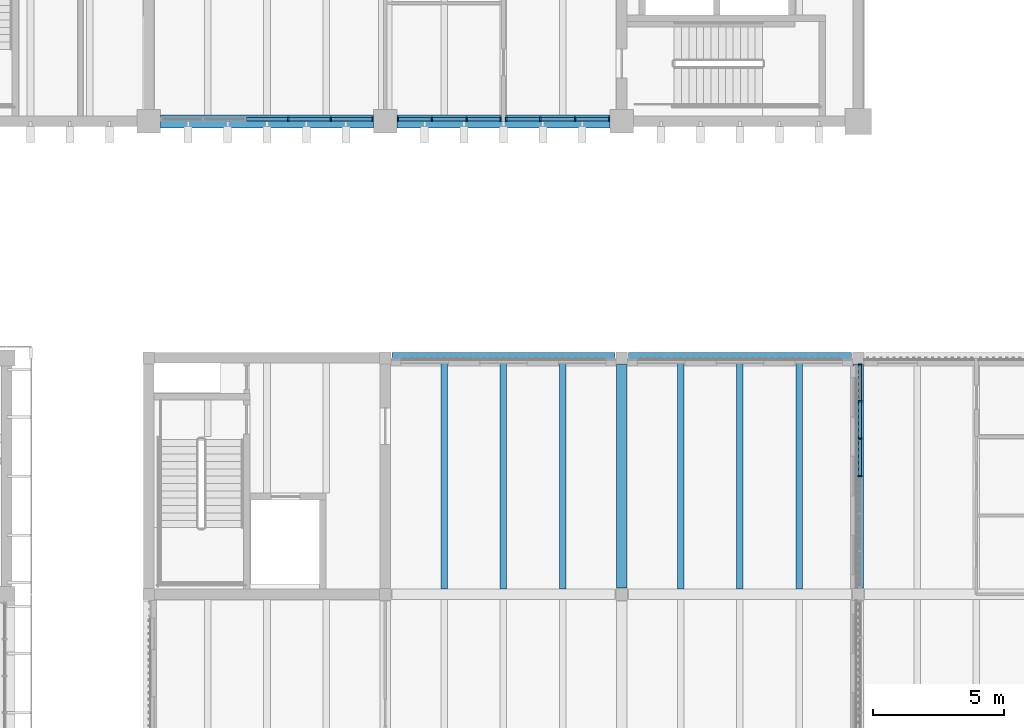
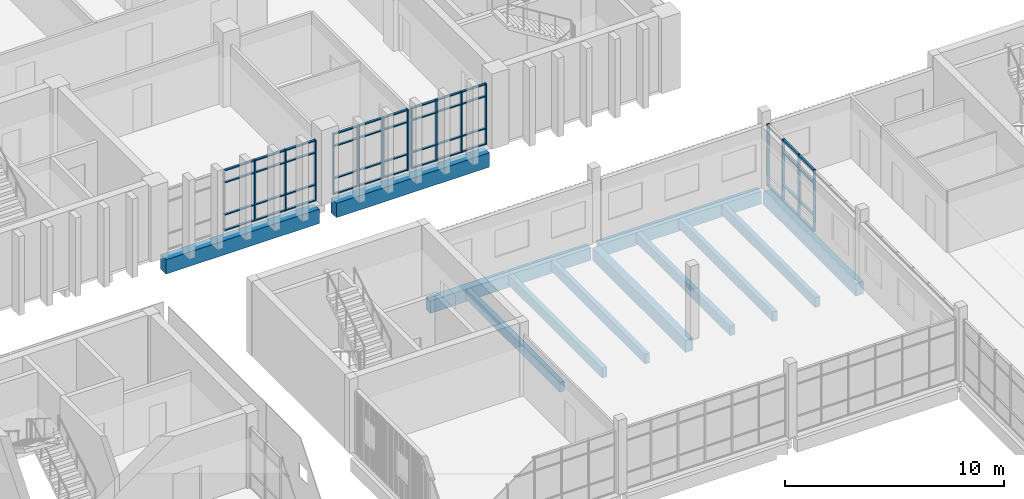
# One storey, part 31 of 88: 60 members, 12 beams, 4 elements without a shape of their own.
"""IFC4 building model written with IfcOpenShell, lengths in metres."""

import ifcopenshell
import ifcopenshell.guid

model = None  # the IFC model being written
_history = None  # IfcOwnerHistory: only IFC2X3 demands one
_inside = {}  # id of a spatial element -> (the spatial element, [elements in it])
_under = {}  # id of a project, library or spatial element -> (it, [spatial elements below it])
_declared = {}  # id of a project -> (the project, [libraries it declares])
_typed = {}  # id of a type object -> (the type object, [elements of that type])
_made_of = {}  # id of a material, layer set ... -> (it, [elements and type objects made of it])


def new_model(schema):
    """Start an empty IFC model of exactly this schema.

    Asked for "IFC4X3", IfcOpenShell would pick the latest addendum, in which some entities
    have other attributes; the version numbers below select the first issue.
    IFC2X3 requires an IfcOwnerHistory on every rooted entity: one is made here for all.
    """
    global model, _history
    if schema == "IFC4X3":
        model = ifcopenshell.file(schema_version=(4, 3, 0, 0))
    else:
        model = ifcopenshell.file(schema=schema)
    _inside.clear()
    _under.clear()
    _declared.clear()
    _typed.clear()
    _made_of.clear()
    _history = None
    if model.schema == "IFC2X3":
        org = make("IfcOrganization", Name="unknown")
        user = make(
            "IfcPersonAndOrganization",
            ThePerson=make("IfcPerson", FamilyName="unknown"),
            TheOrganization=org,
        )
        app = make(
            "IfcApplication",
            ApplicationDeveloper=org,
            Version="unknown",
            ApplicationFullName="unknown",
            ApplicationIdentifier="unknown",
        )
        _history = make(
            "IfcOwnerHistory",
            OwningUser=user,
            OwningApplication=app,
            ChangeAction="ADDED",
            CreationDate=0,
        )
    return model


def make(cls, **values):
    """One entity of the class cls with the attributes given. An attribute that is None is left unset."""
    return model.create_entity(
        cls, **{name: value for name, value in values.items() if value is not None}
    )


def rooted(cls, **values):
    """An entity with a GlobalId (a new one), such as an element, a storey or a relation."""
    return make(cls, GlobalId=ifcopenshell.guid.new(), OwnerHistory=_history, **values)


def si_unit(unit_type, name, prefix=None):
    """IfcSIUnit, for example si_unit("LENGTHUNIT", "METRE", prefix="MILLI")."""
    return make("IfcSIUnit", UnitType=unit_type, Prefix=prefix, Name=name)


def assignment(units):
    """IfcUnitAssignment: the units of a project."""
    return None if units is None else make("IfcUnitAssignment", Units=units)


def point(xyz):
    """IfcCartesianPoint."""
    return None if xyz is None else make("IfcCartesianPoint", Coordinates=xyz)


def direction(xyz):
    """IfcDirection."""
    return None if xyz is None else make("IfcDirection", DirectionRatios=xyz)


def frame(location, z_axis=None, x_axis=None):
    """IfcAxis2Placement3D, a coordinate frame: its origin and axes. An axis left out is left unset."""
    return make(
        "IfcAxis2Placement3D",
        Location=point(location),
        Axis=direction(z_axis),
        RefDirection=direction(x_axis),
    )


def frame_2d(location, x_axis=None):
    """IfcAxis2Placement2D, a coordinate frame in the plane: its origin and x axis."""
    return make(
        "IfcAxis2Placement2D", Location=point(location), RefDirection=direction(x_axis)
    )


def origin():
    """The frame at (0, 0, 0) with its axes left unset."""
    return frame((0.0, 0.0, 0.0))


def origin_2d():
    """The frame at (0, 0) in the plane with its x axis left unset."""
    return frame_2d((0.0, 0.0))


def place(relative_to, where):
    """IfcLocalPlacement: puts the frame where relative to a parent placement (None: the world)."""
    return make(
        "IfcLocalPlacement", PlacementRelTo=relative_to, RelativePlacement=where
    )


def context(
    kind, dimensions, precision=None, world=None, true_north=None, identifier=None
):
    """IfcGeometricRepresentationContext, for example the 3D "Model" context."""
    return make(
        "IfcGeometricRepresentationContext",
        ContextIdentifier=identifier,
        ContextType=kind,
        CoordinateSpaceDimension=dimensions,
        Precision=precision,
        WorldCoordinateSystem=world,
        TrueNorth=true_north,
    )


def subcontext(parent, identifier, kind, view, scale=None):
    """IfcGeometricRepresentationSubContext, for example "Body" below "Model"."""
    return make(
        "IfcGeometricRepresentationSubContext",
        ContextIdentifier=identifier,
        ContextType=kind,
        ParentContext=parent,
        TargetScale=scale,
        TargetView=view,
    )


def project(units=None, contexts=None):
    """IfcProject with its units and contexts."""
    return rooted(
        "IfcProject",
        Name="project",
        RepresentationContexts=contexts,
        UnitsInContext=assignment(units),
    )


def spatial(cls, under=None, at=None, **own):
    """A site, building, storey or space (cls), placed at a placement, below another one or the project."""
    s = rooted(cls, ObjectPlacement=at, **own)
    if under is not None:
        _under.setdefault(under.id(), (under, []))[1].append(s)
    return s


def profile(cls, at=None, kind="AREA", **sizes):
    """A parametric profile (cls). Its sizes go by their IFC names, for example OverallWidth=200.0."""
    return make(cls, ProfileType=kind, Position=at, **sizes)


def rectangle(**sizes):
    """IfcRectangleProfileDef."""
    return profile("IfcRectangleProfileDef", **sizes)


def extrude(swept, where, along, depth):
    """IfcExtrudedAreaSolid: the profile swept, set in the frame where, extruded along a direction by depth."""
    return make(
        "IfcExtrudedAreaSolid",
        SweptArea=swept,
        Position=where,
        ExtrudedDirection=direction(along),
        Depth=depth,
    )


def shape(context_of_items, identifier, shape_type, items):
    """IfcShapeRepresentation: the items that make up one representation, for example the "Body"."""
    return make(
        "IfcShapeRepresentation",
        ContextOfItems=context_of_items,
        RepresentationIdentifier=identifier,
        RepresentationType=shape_type,
        Items=items,
    )


def material(Name=None, Category=None):
    """IfcMaterial."""
    return make("IfcMaterial", Name=Name, Category=Category)


def material_profile(
    of_material, cross_section, Name=None, Category=None, Priority=None
):
    """IfcMaterialProfile: a cross section and its material."""
    return make(
        "IfcMaterialProfile",
        Name=Name,
        Material=of_material,
        Profile=cross_section,
        Priority=Priority,
        Category=Category,
    )


def profile_set(profiles, Name=None, composite=None):
    """IfcMaterialProfileSet."""
    return make(
        "IfcMaterialProfileSet",
        Name=Name,
        MaterialProfiles=profiles,
        CompositeProfile=composite,
    )


def made_of(thing, what):
    """Note that an element or type object is made of a material, layer set ...; save() writes the relation."""
    if what is not None:
        _made_of.setdefault(what.id(), (what, []))[1].append(thing)
    return thing


def type_object(cls, material=None, **own):
    """A type object (cls), such as IfcWallType, which elements share."""
    return made_of(rooted(cls, **own), material)


def element(
    cls,
    number,
    at=None,
    inside=None,
    cuts=None,
    type_object=None,
    material=None,
    context=None,
    identifier="Body",
    shape_type=None,
    held_by="IfcProductDefinitionShape",
    body=None,
    shapes=None,
    **own,
):
    """One element of the class cls, such as IfcWall. Its Tag is "e" and its number.

    at: its placement. inside: the storey or other place that contains it. cuts: it is an
    opening in that element (IfcRelVoidsElement). A single representation is given by context,
    identifier, shape_type and body (its items); several are given by shapes. held_by: the class
    of the entity that holds the representations. save() writes the other relations.
    """
    e = rooted(cls, Tag="e%d" % number, ObjectPlacement=at, **own)
    if body is not None:
        shapes = [shape(context, identifier, shape_type, body)]
    if shapes is not None:
        e.Representation = make(held_by, Representations=shapes)
    if inside is not None:
        _inside.setdefault(inside.id(), (inside, []))[1].append(e)
    if cuts is not None:
        rooted(
            "IfcRelVoidsElement", RelatingBuildingElement=cuts, RelatedOpeningElement=e
        )
    if type_object is not None:
        _typed.setdefault(type_object.id(), (type_object, []))[1].append(e)
    return made_of(e, material)


def aggregate(whole, parts):
    """IfcRelAggregates: a whole, such as a stair, and the parts it consists of."""
    return rooted("IfcRelAggregates", RelatingObject=whole, RelatedObjects=parts)


def save(model, path):
    """Write the relations noted so far, then the file.

    IfcRelAggregates (storeys below a building ...), IfcRelContainedInSpatialStructure (elements
    in a storey), IfcRelDefinesByType, IfcRelAssociatesMaterial and IfcRelDeclares: one each for
    every whole, place, type object, material and project.
    """
    for whole, parts in _under.values():
        aggregate(whole, parts)
    for where, things in _inside.values():
        rooted(
            "IfcRelContainedInSpatialStructure",
            RelatedElements=things,
            RelatingStructure=where,
        )
    for kind, things in _typed.values():
        rooted("IfcRelDefinesByType", RelatedObjects=things, RelatingType=kind)
    for what, things in _made_of.values():
        rooted("IfcRelAssociatesMaterial", RelatedObjects=things, RelatingMaterial=what)
    for by, libraries in _declared.values():
        rooted("IfcRelDeclares", RelatingContext=by, RelatedDefinitions=libraries)
    model.write(path)


model = new_model("IFC4")

# Units and contexts
model_context = context("Model", 3, precision=1e-05, world=origin(), true_north=direction((0.0, 1.0)))
body_context = subcontext(model_context, "Body", "Model", "MODEL_VIEW")
ifc_project = project(units=[si_unit("LENGTHUNIT", "METRE"), si_unit("AREAUNIT", "SQUARE_METRE"), si_unit("VOLUMEUNIT", "CUBIC_METRE"), si_unit("PLANEANGLEUNIT", "RADIAN"), si_unit("MASSUNIT", "GRAM", prefix="KILO")], contexts=[model_context])

# Site, building, storey
site_placement = place(None, origin())
site = spatial("IfcSite", under=ifc_project, at=site_placement, CompositionType="ELEMENT")
building_placement = place(site_placement, origin())
building = spatial("IfcBuilding", under=site, at=building_placement, Name="Merrow Basin Faculty of Sciences", CompositionType="ELEMENT")
storey_placement = place(building_placement, frame((0.0, 0.0, 9.0)))
storey = spatial("IfcBuildingStorey", under=building, at=storey_placement, Name="L02", CompositionType="ELEMENT", Elevation=9.0)

# Curtain wall, members
ifc_material_1 = material(Name="Aluminium alloy 6063", Category="aluminium")
curtain_wall_type_1 = type_object("IfcCurtainWallType", Name="Court curtain wall 140", PredefinedType="NOTDEFINED", material=ifc_material_1)
curtain_wall_1_placement = place(storey_placement, origin())
curtain_wall_1 = element("IfcCurtainWall", 1, at=curtain_wall_1_placement, inside=storey, type_object=curtain_wall_type_1, Name="Court curtain wall L02 8", PredefinedType="NOTDEFINED")
ifc_material_2 = material(Name="Aluminium alloy 6063", Category="aluminium")
ifc_material_profile_1 = material_profile(ifc_material_2, rectangle(XDim=0.139892578125, YDim=0.06005859375, at=origin_2d()))
ifc_profile_set_1 = profile_set([ifc_material_profile_1], Name="Aluminium alloy 6063")
member_type_1 = type_object("IfcMemberType", Name="Aluminium mullion 60x140", PredefinedType="MULLION", material=ifc_profile_set_1)
member_1_placement = place(storey_placement, frame((54.070068359375, 128.5, 0.0), z_axis=(0.0, 0.0, 1.0), x_axis=(-1.0, 0.0, 0.0)))
member_1 = element("IfcMember", 2, at=member_1_placement, type_object=member_type_1, Name="CW8 mullion 4", PredefinedType="MULLION", context=body_context, shape_type="SweptSolid", body=[
    extrude(rectangle(XDim=0.139892578125, YDim=0.06005859375, at=origin_2d()), origin(), (0.0, 0.0, 1.0), 3.449951171875),
])
member_2_placement = place(storey_placement, frame((54.070068359375, 129.925048828125, 0.0), z_axis=(0.0, 0.0, 1.0), x_axis=(-1.0, 0.0, 0.0)))
member_2 = element("IfcMember", 3, at=member_2_placement, type_object=member_type_1, Name="CW8 mullion 5", PredefinedType="MULLION", context=body_context, shape_type="SweptSolid", body=[
    extrude(rectangle(XDim=0.139892578125, YDim=0.06005859375, at=origin_2d()), origin(), (0.0, 0.0, 1.0), 3.449951171875),
])
member_3_placement = place(storey_placement, frame((54.070068359375, 131.35009765625, 0.0), z_axis=(0.0, 0.0, 1.0), x_axis=(-1.0, 0.0, 0.0)))
member_3 = element("IfcMember", 4, at=member_3_placement, type_object=member_type_1, Name="CW8 mullion 6", PredefinedType="MULLION", context=body_context, shape_type="SweptSolid", body=[
    extrude(rectangle(XDim=0.139892578125, YDim=0.06005859375, at=origin_2d()), origin(), (0.0, 0.0, 1.0), 3.449951171875),
])
member_4_placement = place(storey_placement, frame((54.070068359375, 132.7451171875, 0.0), z_axis=(0.0, 0.0, 1.0), x_axis=(-1.0, 0.0, 0.0)))
member_4 = element("IfcMember", 5, at=member_4_placement, type_object=member_type_1, Name="CW8 mullion 7", PredefinedType="MULLION", context=body_context, shape_type="SweptSolid", body=[
    extrude(rectangle(XDim=0.139892578125, YDim=0.06005859375, at=origin_2d()), origin(), (0.0, 0.0, 1.0), 3.449951171875),
])

ifc_material_3 = material(Name="Aluminium alloy 6063", Category="aluminium")
curtain_wall_type_2 = type_object("IfcCurtainWallType", Name="Unitised curtain wall 160", PredefinedType="NOTDEFINED", material=ifc_material_3)
curtain_wall_2_placement = place(storey_placement, origin())
curtain_wall_2 = element("IfcCurtainWall", 6, at=curtain_wall_2_placement, inside=storey, type_object=curtain_wall_type_2, Name="S curtain wall L02 1", PredefinedType="NOTDEFINED")
ifc_material_4 = material(Name="Aluminium alloy 6063", Category="aluminium")
ifc_material_profile_2 = material_profile(ifc_material_4, rectangle(XDim=0.159912109375, YDim=0.06005859375, at=origin_2d()))
ifc_profile_set_2 = profile_set([ifc_material_profile_2], Name="Aluminium alloy 6063")
member_type_2 = type_object("IfcMemberType", Name="Aluminium mullion 60x160", PredefinedType="MULLION", material=ifc_profile_set_2)
member_5_placement = place(storey_placement, frame((32.31005859375, 142.080078125, 0.0), z_axis=(0.0, 0.0, 1.0), x_axis=(0.0, 1.0, 0.0)))
member_5 = element("IfcMember", 7, at=member_5_placement, type_object=member_type_2, Name="CW3 mullion 4", PredefinedType="MULLION", context=body_context, shape_type="SweptSolid", body=[
    extrude(rectangle(XDim=0.159912109375, YDim=0.06005859375, at=origin_2d()), origin(), (0.0, 0.0, 1.0), 3.39990234375),
])
member_6_placement = place(storey_placement, frame((33.929931640625, 142.080078125, 0.0), z_axis=(0.0, 0.0, 1.0), x_axis=(0.0, 1.0, 0.0)))
member_6 = element("IfcMember", 8, at=member_6_placement, type_object=member_type_2, Name="CW3 mullion 5", PredefinedType="MULLION", context=body_context, shape_type="SweptSolid", body=[
    extrude(rectangle(XDim=0.159912109375, YDim=0.06005859375, at=origin_2d()), origin(), (0.0, 0.0, 1.0), 3.39990234375),
])
member_7_placement = place(storey_placement, frame((35.52001953125, 142.080078125, 0.0), z_axis=(0.0, 0.0, 1.0), x_axis=(0.0, 1.0, 0.0)))
member_7 = element("IfcMember", 9, at=member_7_placement, type_object=member_type_2, Name="CW3 mullion 6", PredefinedType="MULLION", context=body_context, shape_type="SweptSolid", body=[
    extrude(rectangle(XDim=0.159912109375, YDim=0.06005859375, at=origin_2d()), origin(), (0.0, 0.0, 1.0), 3.39990234375),
])

curtain_wall_3_placement = place(storey_placement, origin())
curtain_wall_3 = element("IfcCurtainWall", 10, at=curtain_wall_3_placement, inside=storey, type_object=curtain_wall_type_2, Name="S curtain wall L02 2", PredefinedType="NOTDEFINED")
member_8_placement = place(storey_placement, frame((36.47998046875, 142.080078125, 0.0), z_axis=(0.0, 0.0, 1.0), x_axis=(0.0, 1.0, 0.0)))
member_8 = element("IfcMember", 11, at=member_8_placement, type_object=member_type_2, Name="CW3 mullion 1", PredefinedType="MULLION", context=body_context, shape_type="SweptSolid", body=[
    extrude(rectangle(XDim=0.159912109375, YDim=0.06005859375, at=origin_2d()), origin(), (0.0, 0.0, 1.0), 3.39990234375),
])
member_9_placement = place(storey_placement, frame((37.77490234375, 142.080078125, 0.0), z_axis=(0.0, 0.0, 1.0), x_axis=(0.0, 1.0, 0.0)))
member_9 = element("IfcMember", 12, at=member_9_placement, type_object=member_type_2, Name="CW3 mullion 2", PredefinedType="MULLION", context=body_context, shape_type="SweptSolid", body=[
    extrude(rectangle(XDim=0.159912109375, YDim=0.06005859375, at=origin_2d()), origin(), (0.0, 0.0, 1.0), 3.39990234375),
])
member_10_placement = place(storey_placement, frame((39.10009765625, 142.080078125, 0.0), z_axis=(0.0, 0.0, 1.0), x_axis=(0.0, 1.0, 0.0)))
member_10 = element("IfcMember", 13, at=member_10_placement, type_object=member_type_2, Name="CW3 mullion 3", PredefinedType="MULLION", context=body_context, shape_type="SweptSolid", body=[
    extrude(rectangle(XDim=0.159912109375, YDim=0.06005859375, at=origin_2d()), origin(), (0.0, 0.0, 1.0), 3.39990234375),
])
member_11_placement = place(storey_placement, frame((40.39501953125, 142.080078125, 0.0), z_axis=(0.0, 0.0, 1.0), x_axis=(0.0, 1.0, 0.0)))
member_11 = element("IfcMember", 14, at=member_11_placement, type_object=member_type_2, Name="CW3 mullion 4", PredefinedType="MULLION", context=body_context, shape_type="SweptSolid", body=[
    extrude(rectangle(XDim=0.159912109375, YDim=0.06005859375, at=origin_2d()), origin(), (0.0, 0.0, 1.0), 3.39990234375),
])

curtain_wall_4_placement = place(storey_placement, origin())
curtain_wall_4 = element("IfcCurtainWall", 15, at=curtain_wall_4_placement, inside=storey, type_object=curtain_wall_type_2, Name="S curtain wall L02 3", PredefinedType="NOTDEFINED")
member_12_placement = place(storey_placement, frame((40.60498046875, 142.080078125, 0.0), z_axis=(0.0, 0.0, 1.0), x_axis=(0.0, 1.0, 0.0)))
member_12 = element("IfcMember", 16, at=member_12_placement, type_object=member_type_2, Name="CW3 mullion 1", PredefinedType="MULLION", context=body_context, shape_type="SweptSolid", body=[
    extrude(rectangle(XDim=0.159912109375, YDim=0.06005859375, at=origin_2d()), origin(), (0.0, 0.0, 1.0), 3.39990234375),
])
member_13_placement = place(storey_placement, frame((41.89990234375, 142.080078125, 0.0), z_axis=(0.0, 0.0, 1.0), x_axis=(0.0, 1.0, 0.0)))
member_13 = element("IfcMember", 17, at=member_13_placement, type_object=member_type_2, Name="CW3 mullion 2", PredefinedType="MULLION", context=body_context, shape_type="SweptSolid", body=[
    extrude(rectangle(XDim=0.159912109375, YDim=0.06005859375, at=origin_2d()), origin(), (0.0, 0.0, 1.0), 3.39990234375),
])
member_14_placement = place(storey_placement, frame((43.22509765625, 142.080078125, 0.0), z_axis=(0.0, 0.0, 1.0), x_axis=(0.0, 1.0, 0.0)))
member_14 = element("IfcMember", 18, at=member_14_placement, type_object=member_type_2, Name="CW3 mullion 3", PredefinedType="MULLION", context=body_context, shape_type="SweptSolid", body=[
    extrude(rectangle(XDim=0.159912109375, YDim=0.06005859375, at=origin_2d()), origin(), (0.0, 0.0, 1.0), 3.39990234375),
])
member_15_placement = place(storey_placement, frame((44.52001953125, 142.080078125, 0.0), z_axis=(0.0, 0.0, 1.0), x_axis=(0.0, 1.0, 0.0)))
member_15 = element("IfcMember", 19, at=member_15_placement, type_object=member_type_2, Name="CW3 mullion 4", PredefinedType="MULLION", context=body_context, shape_type="SweptSolid", body=[
    extrude(rectangle(XDim=0.159912109375, YDim=0.06005859375, at=origin_2d()), origin(), (0.0, 0.0, 1.0), 3.39990234375),
])

# Member
ifc_material_5 = material(Name="Aluminium alloy 6063", Category="aluminium")
ifc_material_profile_3 = material_profile(ifc_material_5, rectangle(XDim=0.1201171875, YDim=0.06005859375, at=origin_2d()))
ifc_profile_set_3 = profile_set([ifc_material_profile_3], Name="Aluminium alloy 6063")
member_type_3 = type_object("IfcMemberType", Name="Aluminium transom 60x120", PredefinedType="USERDEFINED", material=ifc_profile_set_3)
member_16_placement = place(storey_placement, frame((54.070068359375, 128.530029296875, 0.030029296875), z_axis=(0.0, 1.0, 0.0), x_axis=(-1.0, 0.0, 0.0)))
member_16 = element("IfcMember", 20, at=member_16_placement, type_object=member_type_3, Name="CW8 transom 4.1", ObjectType="TRANSOM", PredefinedType="USERDEFINED", context=body_context, shape_type="SweptSolid", body=[
    extrude(rectangle(XDim=0.1201171875, YDim=0.06005859375, at=origin_2d()), origin(), (0.0, 0.0, 1.0), 1.364990234375),
])

member_17_placement = place(storey_placement, frame((54.070068359375, 128.530029296875, 0.89990234375), z_axis=(0.0, 1.0, 0.0), x_axis=(-1.0, 0.0, 0.0)))
member_17 = element("IfcMember", 21, at=member_17_placement, type_object=member_type_3, Name="CW8 transom 4.2", ObjectType="TRANSOM", PredefinedType="USERDEFINED", context=body_context, shape_type="SweptSolid", body=[
    extrude(rectangle(XDim=0.1201171875, YDim=0.06005859375, at=origin_2d()), origin(), (0.0, 0.0, 1.0), 1.364990234375),
])

member_18_placement = place(storey_placement, frame((54.070068359375, 128.530029296875, 2.699951171875), z_axis=(0.0, 1.0, 0.0), x_axis=(-1.0, 0.0, 0.0)))
member_18 = element("IfcMember", 22, at=member_18_placement, type_object=member_type_3, Name="CW8 transom 4.3", ObjectType="TRANSOM", PredefinedType="USERDEFINED", context=body_context, shape_type="SweptSolid", body=[
    extrude(rectangle(XDim=0.1201171875, YDim=0.06005859375, at=origin_2d()), origin(), (0.0, 0.0, 1.0), 1.364990234375),
])

member_19_placement = place(storey_placement, frame((54.070068359375, 128.530029296875, 3.419921875), z_axis=(0.0, 1.0, 0.0), x_axis=(-1.0, 0.0, 0.0)))
member_19 = element("IfcMember", 23, at=member_19_placement, type_object=member_type_3, Name="CW8 transom 4.4", ObjectType="TRANSOM", PredefinedType="USERDEFINED", context=body_context, shape_type="SweptSolid", body=[
    extrude(rectangle(XDim=0.1201171875, YDim=0.06005859375, at=origin_2d()), origin(), (0.0, 0.0, 1.0), 1.364990234375),
])

member_20_placement = place(storey_placement, frame((54.070068359375, 129.955078125, 0.030029296875), z_axis=(0.0, 1.0, 0.0), x_axis=(-1.0, 0.0, 0.0)))
member_20 = element("IfcMember", 24, at=member_20_placement, type_object=member_type_3, Name="CW8 transom 5.1", ObjectType="TRANSOM", PredefinedType="USERDEFINED", context=body_context, shape_type="SweptSolid", body=[
    extrude(rectangle(XDim=0.1201171875, YDim=0.06005859375, at=origin_2d()), origin(), (0.0, 0.0, 1.0), 1.364990234375),
])

member_21_placement = place(storey_placement, frame((54.070068359375, 129.955078125, 0.89990234375), z_axis=(0.0, 1.0, 0.0), x_axis=(-1.0, 0.0, 0.0)))
member_21 = element("IfcMember", 25, at=member_21_placement, type_object=member_type_3, Name="CW8 transom 5.2", ObjectType="TRANSOM", PredefinedType="USERDEFINED", context=body_context, shape_type="SweptSolid", body=[
    extrude(rectangle(XDim=0.1201171875, YDim=0.06005859375, at=origin_2d()), origin(), (0.0, 0.0, 1.0), 1.364990234375),
])

member_22_placement = place(storey_placement, frame((54.070068359375, 129.955078125, 2.699951171875), z_axis=(0.0, 1.0, 0.0), x_axis=(-1.0, 0.0, 0.0)))
member_22 = element("IfcMember", 26, at=member_22_placement, type_object=member_type_3, Name="CW8 transom 5.3", ObjectType="TRANSOM", PredefinedType="USERDEFINED", context=body_context, shape_type="SweptSolid", body=[
    extrude(rectangle(XDim=0.1201171875, YDim=0.06005859375, at=origin_2d()), origin(), (0.0, 0.0, 1.0), 1.364990234375),
])

member_23_placement = place(storey_placement, frame((54.070068359375, 129.955078125, 3.419921875), z_axis=(0.0, 1.0, 0.0), x_axis=(-1.0, 0.0, 0.0)))
member_23 = element("IfcMember", 27, at=member_23_placement, type_object=member_type_3, Name="CW8 transom 5.4", ObjectType="TRANSOM", PredefinedType="USERDEFINED", context=body_context, shape_type="SweptSolid", body=[
    extrude(rectangle(XDim=0.1201171875, YDim=0.06005859375, at=origin_2d()), origin(), (0.0, 0.0, 1.0), 1.364990234375),
])

member_24_placement = place(storey_placement, frame((54.070068359375, 131.3798828125, 0.030029296875), z_axis=(0.0, 1.0, 0.0), x_axis=(-1.0, 0.0, 0.0)))
member_24 = element("IfcMember", 28, at=member_24_placement, type_object=member_type_3, Name="CW8 transom 6.1", ObjectType="TRANSOM", PredefinedType="USERDEFINED", context=body_context, shape_type="SweptSolid", body=[
    extrude(rectangle(XDim=0.1201171875, YDim=0.06005859375, at=origin_2d()), origin(), (0.0, 0.0, 1.0), 1.335205078125),
])

aggregate(curtain_wall_1, [member_1, member_2, member_3, member_4, member_16, member_17, member_18, member_19, member_20, member_21, member_22, member_23, member_24])

member_25_placement = place(storey_placement, frame((30.719970703125, 142.080078125, 0.030029296875), z_axis=(1.0, 0.0, 0.0), x_axis=(0.0, 1.0, 0.0)))
member_25 = element("IfcMember", 29, at=member_25_placement, type_object=member_type_3, Name="CW3 transom 3.1", ObjectType="TRANSOM", PredefinedType="USERDEFINED", context=body_context, shape_type="SweptSolid", body=[
    extrude(rectangle(XDim=0.1201171875, YDim=0.06005859375, at=origin_2d()), origin(), (0.0, 0.0, 1.0), 1.56005859375),
])

member_26_placement = place(storey_placement, frame((30.719970703125, 142.080078125, 0.89990234375), z_axis=(1.0, 0.0, 0.0), x_axis=(0.0, 1.0, 0.0)))
member_26 = element("IfcMember", 30, at=member_26_placement, type_object=member_type_3, Name="CW3 transom 3.2", ObjectType="TRANSOM", PredefinedType="USERDEFINED", context=body_context, shape_type="SweptSolid", body=[
    extrude(rectangle(XDim=0.1201171875, YDim=0.06005859375, at=origin_2d()), origin(), (0.0, 0.0, 1.0), 1.56005859375),
])

member_27_placement = place(storey_placement, frame((30.719970703125, 142.080078125, 2.699951171875), z_axis=(1.0, 0.0, 0.0), x_axis=(0.0, 1.0, 0.0)))
member_27 = element("IfcMember", 31, at=member_27_placement, type_object=member_type_3, Name="CW3 transom 3.3", ObjectType="TRANSOM", PredefinedType="USERDEFINED", context=body_context, shape_type="SweptSolid", body=[
    extrude(rectangle(XDim=0.1201171875, YDim=0.06005859375, at=origin_2d()), origin(), (0.0, 0.0, 1.0), 1.56005859375),
])

member_28_placement = place(storey_placement, frame((30.719970703125, 142.080078125, 3.3701171875), z_axis=(1.0, 0.0, 0.0), x_axis=(0.0, 1.0, 0.0)))
member_28 = element("IfcMember", 32, at=member_28_placement, type_object=member_type_3, Name="CW3 transom 3.4", ObjectType="TRANSOM", PredefinedType="USERDEFINED", context=body_context, shape_type="SweptSolid", body=[
    extrude(rectangle(XDim=0.1201171875, YDim=0.06005859375, at=origin_2d()), origin(), (0.0, 0.0, 1.0), 1.56005859375),
])

member_29_placement = place(storey_placement, frame((32.340087890625, 142.080078125, 0.030029296875), z_axis=(1.0, 0.0, 0.0), x_axis=(0.0, 1.0, 0.0)))
member_29 = element("IfcMember", 33, at=member_29_placement, type_object=member_type_3, Name="CW3 transom 4.1", ObjectType="TRANSOM", PredefinedType="USERDEFINED", context=body_context, shape_type="SweptSolid", body=[
    extrude(rectangle(XDim=0.1201171875, YDim=0.06005859375, at=origin_2d()), origin(), (0.0, 0.0, 1.0), 1.559814453125),
])

member_30_placement = place(storey_placement, frame((32.340087890625, 142.080078125, 0.89990234375), z_axis=(1.0, 0.0, 0.0), x_axis=(0.0, 1.0, 0.0)))
member_30 = element("IfcMember", 34, at=member_30_placement, type_object=member_type_3, Name="CW3 transom 4.2", ObjectType="TRANSOM", PredefinedType="USERDEFINED", context=body_context, shape_type="SweptSolid", body=[
    extrude(rectangle(XDim=0.1201171875, YDim=0.06005859375, at=origin_2d()), origin(), (0.0, 0.0, 1.0), 1.559814453125),
])

member_31_placement = place(storey_placement, frame((32.340087890625, 142.080078125, 2.699951171875), z_axis=(1.0, 0.0, 0.0), x_axis=(0.0, 1.0, 0.0)))
member_31 = element("IfcMember", 35, at=member_31_placement, type_object=member_type_3, Name="CW3 transom 4.3", ObjectType="TRANSOM", PredefinedType="USERDEFINED", context=body_context, shape_type="SweptSolid", body=[
    extrude(rectangle(XDim=0.1201171875, YDim=0.06005859375, at=origin_2d()), origin(), (0.0, 0.0, 1.0), 1.559814453125),
])

member_32_placement = place(storey_placement, frame((32.340087890625, 142.080078125, 3.3701171875), z_axis=(1.0, 0.0, 0.0), x_axis=(0.0, 1.0, 0.0)))
member_32 = element("IfcMember", 36, at=member_32_placement, type_object=member_type_3, Name="CW3 transom 4.4", ObjectType="TRANSOM", PredefinedType="USERDEFINED", context=body_context, shape_type="SweptSolid", body=[
    extrude(rectangle(XDim=0.1201171875, YDim=0.06005859375, at=origin_2d()), origin(), (0.0, 0.0, 1.0), 1.559814453125),
])

member_33_placement = place(storey_placement, frame((33.9599609375, 142.080078125, 0.030029296875), z_axis=(1.0, 0.0, 0.0), x_axis=(0.0, 1.0, 0.0)))
member_33 = element("IfcMember", 37, at=member_33_placement, type_object=member_type_3, Name="CW3 transom 5.1", ObjectType="TRANSOM", PredefinedType="USERDEFINED", context=body_context, shape_type="SweptSolid", body=[
    extrude(rectangle(XDim=0.1201171875, YDim=0.06005859375, at=origin_2d()), origin(), (0.0, 0.0, 1.0), 1.530029296875),
])

member_34_placement = place(storey_placement, frame((33.9599609375, 142.080078125, 0.89990234375), z_axis=(1.0, 0.0, 0.0), x_axis=(0.0, 1.0, 0.0)))
member_34 = element("IfcMember", 38, at=member_34_placement, type_object=member_type_3, Name="CW3 transom 5.2", ObjectType="TRANSOM", PredefinedType="USERDEFINED", context=body_context, shape_type="SweptSolid", body=[
    extrude(rectangle(XDim=0.1201171875, YDim=0.06005859375, at=origin_2d()), origin(), (0.0, 0.0, 1.0), 1.530029296875),
])

member_35_placement = place(storey_placement, frame((33.9599609375, 142.080078125, 2.699951171875), z_axis=(1.0, 0.0, 0.0), x_axis=(0.0, 1.0, 0.0)))
member_35 = element("IfcMember", 39, at=member_35_placement, type_object=member_type_3, Name="CW3 transom 5.3", ObjectType="TRANSOM", PredefinedType="USERDEFINED", context=body_context, shape_type="SweptSolid", body=[
    extrude(rectangle(XDim=0.1201171875, YDim=0.06005859375, at=origin_2d()), origin(), (0.0, 0.0, 1.0), 1.530029296875),
])

member_36_placement = place(storey_placement, frame((33.9599609375, 142.080078125, 3.3701171875), z_axis=(1.0, 0.0, 0.0), x_axis=(0.0, 1.0, 0.0)))
member_36 = element("IfcMember", 40, at=member_36_placement, type_object=member_type_3, Name="CW3 transom 5.4", ObjectType="TRANSOM", PredefinedType="USERDEFINED", context=body_context, shape_type="SweptSolid", body=[
    extrude(rectangle(XDim=0.1201171875, YDim=0.06005859375, at=origin_2d()), origin(), (0.0, 0.0, 1.0), 1.530029296875),
])

aggregate(curtain_wall_2, [member_5, member_6, member_7, member_25, member_26, member_27, member_28, member_29, member_30, member_31, member_32, member_33, member_34, member_35, member_36])

member_37_placement = place(storey_placement, frame((36.510009765625, 142.080078125, 0.030029296875), z_axis=(1.0, 0.0, 0.0), x_axis=(0.0, 1.0, 0.0)))
member_37 = element("IfcMember", 41, at=member_37_placement, type_object=member_type_3, Name="CW3 transom 1.1", ObjectType="TRANSOM", PredefinedType="USERDEFINED", context=body_context, shape_type="SweptSolid", body=[
    extrude(rectangle(XDim=0.1201171875, YDim=0.06005859375, at=origin_2d()), origin(), (0.0, 0.0, 1.0), 1.235107421875),
])

member_38_placement = place(storey_placement, frame((36.510009765625, 142.080078125, 0.89990234375), z_axis=(1.0, 0.0, 0.0), x_axis=(0.0, 1.0, 0.0)))
member_38 = element("IfcMember", 42, at=member_38_placement, type_object=member_type_3, Name="CW3 transom 1.2", ObjectType="TRANSOM", PredefinedType="USERDEFINED", context=body_context, shape_type="SweptSolid", body=[
    extrude(rectangle(XDim=0.1201171875, YDim=0.06005859375, at=origin_2d()), origin(), (0.0, 0.0, 1.0), 1.235107421875),
])

member_39_placement = place(storey_placement, frame((36.510009765625, 142.080078125, 2.699951171875), z_axis=(1.0, 0.0, 0.0), x_axis=(0.0, 1.0, 0.0)))
member_39 = element("IfcMember", 43, at=member_39_placement, type_object=member_type_3, Name="CW3 transom 1.3", ObjectType="TRANSOM", PredefinedType="USERDEFINED", context=body_context, shape_type="SweptSolid", body=[
    extrude(rectangle(XDim=0.1201171875, YDim=0.06005859375, at=origin_2d()), origin(), (0.0, 0.0, 1.0), 1.235107421875),
])

member_40_placement = place(storey_placement, frame((36.510009765625, 142.080078125, 3.3701171875), z_axis=(1.0, 0.0, 0.0), x_axis=(0.0, 1.0, 0.0)))
member_40 = element("IfcMember", 44, at=member_40_placement, type_object=member_type_3, Name="CW3 transom 1.4", ObjectType="TRANSOM", PredefinedType="USERDEFINED", context=body_context, shape_type="SweptSolid", body=[
    extrude(rectangle(XDim=0.1201171875, YDim=0.06005859375, at=origin_2d()), origin(), (0.0, 0.0, 1.0), 1.235107421875),
])

member_41_placement = place(storey_placement, frame((37.804931640625, 142.080078125, 0.030029296875), z_axis=(1.0, 0.0, 0.0), x_axis=(0.0, 1.0, 0.0)))
member_41 = element("IfcMember", 45, at=member_41_placement, type_object=member_type_3, Name="CW3 transom 2.1", ObjectType="TRANSOM", PredefinedType="USERDEFINED", context=body_context, shape_type="SweptSolid", body=[
    extrude(rectangle(XDim=0.1201171875, YDim=0.06005859375, at=origin_2d()), origin(), (0.0, 0.0, 1.0), 1.26513671875),
])

member_42_placement = place(storey_placement, frame((37.804931640625, 142.080078125, 0.89990234375), z_axis=(1.0, 0.0, 0.0), x_axis=(0.0, 1.0, 0.0)))
member_42 = element("IfcMember", 46, at=member_42_placement, type_object=member_type_3, Name="CW3 transom 2.2", ObjectType="TRANSOM", PredefinedType="USERDEFINED", context=body_context, shape_type="SweptSolid", body=[
    extrude(rectangle(XDim=0.1201171875, YDim=0.06005859375, at=origin_2d()), origin(), (0.0, 0.0, 1.0), 1.26513671875),
])

member_43_placement = place(storey_placement, frame((37.804931640625, 142.080078125, 2.699951171875), z_axis=(1.0, 0.0, 0.0), x_axis=(0.0, 1.0, 0.0)))
member_43 = element("IfcMember", 47, at=member_43_placement, type_object=member_type_3, Name="CW3 transom 2.3", ObjectType="TRANSOM", PredefinedType="USERDEFINED", context=body_context, shape_type="SweptSolid", body=[
    extrude(rectangle(XDim=0.1201171875, YDim=0.06005859375, at=origin_2d()), origin(), (0.0, 0.0, 1.0), 1.26513671875),
])

member_44_placement = place(storey_placement, frame((37.804931640625, 142.080078125, 3.3701171875), z_axis=(1.0, 0.0, 0.0), x_axis=(0.0, 1.0, 0.0)))
member_44 = element("IfcMember", 48, at=member_44_placement, type_object=member_type_3, Name="CW3 transom 2.4", ObjectType="TRANSOM", PredefinedType="USERDEFINED", context=body_context, shape_type="SweptSolid", body=[
    extrude(rectangle(XDim=0.1201171875, YDim=0.06005859375, at=origin_2d()), origin(), (0.0, 0.0, 1.0), 1.26513671875),
])

member_45_placement = place(storey_placement, frame((39.1298828125, 142.080078125, 0.030029296875), z_axis=(1.0, 0.0, 0.0), x_axis=(0.0, 1.0, 0.0)))
member_45 = element("IfcMember", 49, at=member_45_placement, type_object=member_type_3, Name="CW3 transom 3.1", ObjectType="TRANSOM", PredefinedType="USERDEFINED", context=body_context, shape_type="SweptSolid", body=[
    extrude(rectangle(XDim=0.1201171875, YDim=0.06005859375, at=origin_2d()), origin(), (0.0, 0.0, 1.0), 1.235107421875),
])

member_46_placement = place(storey_placement, frame((39.1298828125, 142.080078125, 0.89990234375), z_axis=(1.0, 0.0, 0.0), x_axis=(0.0, 1.0, 0.0)))
member_46 = element("IfcMember", 50, at=member_46_placement, type_object=member_type_3, Name="CW3 transom 3.2", ObjectType="TRANSOM", PredefinedType="USERDEFINED", context=body_context, shape_type="SweptSolid", body=[
    extrude(rectangle(XDim=0.1201171875, YDim=0.06005859375, at=origin_2d()), origin(), (0.0, 0.0, 1.0), 1.235107421875),
])

member_47_placement = place(storey_placement, frame((39.1298828125, 142.080078125, 2.699951171875), z_axis=(1.0, 0.0, 0.0), x_axis=(0.0, 1.0, 0.0)))
member_47 = element("IfcMember", 51, at=member_47_placement, type_object=member_type_3, Name="CW3 transom 3.3", ObjectType="TRANSOM", PredefinedType="USERDEFINED", context=body_context, shape_type="SweptSolid", body=[
    extrude(rectangle(XDim=0.1201171875, YDim=0.06005859375, at=origin_2d()), origin(), (0.0, 0.0, 1.0), 1.235107421875),
])

member_48_placement = place(storey_placement, frame((39.1298828125, 142.080078125, 3.3701171875), z_axis=(1.0, 0.0, 0.0), x_axis=(0.0, 1.0, 0.0)))
member_48 = element("IfcMember", 52, at=member_48_placement, type_object=member_type_3, Name="CW3 transom 3.4", ObjectType="TRANSOM", PredefinedType="USERDEFINED", context=body_context, shape_type="SweptSolid", body=[
    extrude(rectangle(XDim=0.1201171875, YDim=0.06005859375, at=origin_2d()), origin(), (0.0, 0.0, 1.0), 1.235107421875),
])

aggregate(curtain_wall_3, [member_8, member_9, member_10, member_11, member_37, member_38, member_39, member_40, member_41, member_42, member_43, member_44, member_45, member_46, member_47, member_48])

member_49_placement = place(storey_placement, frame((40.635009765625, 142.080078125, 0.030029296875), z_axis=(1.0, 0.0, 0.0), x_axis=(0.0, 1.0, 0.0)))
member_49 = element("IfcMember", 53, at=member_49_placement, type_object=member_type_3, Name="CW3 transom 1.1", ObjectType="TRANSOM", PredefinedType="USERDEFINED", context=body_context, shape_type="SweptSolid", body=[
    extrude(rectangle(XDim=0.1201171875, YDim=0.06005859375, at=origin_2d()), origin(), (0.0, 0.0, 1.0), 1.235107421875),
])

member_50_placement = place(storey_placement, frame((40.635009765625, 142.080078125, 0.89990234375), z_axis=(1.0, 0.0, 0.0), x_axis=(0.0, 1.0, 0.0)))
member_50 = element("IfcMember", 54, at=member_50_placement, type_object=member_type_3, Name="CW3 transom 1.2", ObjectType="TRANSOM", PredefinedType="USERDEFINED", context=body_context, shape_type="SweptSolid", body=[
    extrude(rectangle(XDim=0.1201171875, YDim=0.06005859375, at=origin_2d()), origin(), (0.0, 0.0, 1.0), 1.235107421875),
])

member_51_placement = place(storey_placement, frame((40.635009765625, 142.080078125, 2.699951171875), z_axis=(1.0, 0.0, 0.0), x_axis=(0.0, 1.0, 0.0)))
member_51 = element("IfcMember", 55, at=member_51_placement, type_object=member_type_3, Name="CW3 transom 1.3", ObjectType="TRANSOM", PredefinedType="USERDEFINED", context=body_context, shape_type="SweptSolid", body=[
    extrude(rectangle(XDim=0.1201171875, YDim=0.06005859375, at=origin_2d()), origin(), (0.0, 0.0, 1.0), 1.235107421875),
])

member_52_placement = place(storey_placement, frame((40.635009765625, 142.080078125, 3.3701171875), z_axis=(1.0, 0.0, 0.0), x_axis=(0.0, 1.0, 0.0)))
member_52 = element("IfcMember", 56, at=member_52_placement, type_object=member_type_3, Name="CW3 transom 1.4", ObjectType="TRANSOM", PredefinedType="USERDEFINED", context=body_context, shape_type="SweptSolid", body=[
    extrude(rectangle(XDim=0.1201171875, YDim=0.06005859375, at=origin_2d()), origin(), (0.0, 0.0, 1.0), 1.235107421875),
])

member_53_placement = place(storey_placement, frame((41.929931640625, 142.080078125, 0.030029296875), z_axis=(1.0, 0.0, 0.0), x_axis=(0.0, 1.0, 0.0)))
member_53 = element("IfcMember", 57, at=member_53_placement, type_object=member_type_3, Name="CW3 transom 2.1", ObjectType="TRANSOM", PredefinedType="USERDEFINED", context=body_context, shape_type="SweptSolid", body=[
    extrude(rectangle(XDim=0.1201171875, YDim=0.06005859375, at=origin_2d()), origin(), (0.0, 0.0, 1.0), 1.26513671875),
])

member_54_placement = place(storey_placement, frame((41.929931640625, 142.080078125, 0.89990234375), z_axis=(1.0, 0.0, 0.0), x_axis=(0.0, 1.0, 0.0)))
member_54 = element("IfcMember", 58, at=member_54_placement, type_object=member_type_3, Name="CW3 transom 2.2", ObjectType="TRANSOM", PredefinedType="USERDEFINED", context=body_context, shape_type="SweptSolid", body=[
    extrude(rectangle(XDim=0.1201171875, YDim=0.06005859375, at=origin_2d()), origin(), (0.0, 0.0, 1.0), 1.26513671875),
])

member_55_placement = place(storey_placement, frame((41.929931640625, 142.080078125, 2.699951171875), z_axis=(1.0, 0.0, 0.0), x_axis=(0.0, 1.0, 0.0)))
member_55 = element("IfcMember", 59, at=member_55_placement, type_object=member_type_3, Name="CW3 transom 2.3", ObjectType="TRANSOM", PredefinedType="USERDEFINED", context=body_context, shape_type="SweptSolid", body=[
    extrude(rectangle(XDim=0.1201171875, YDim=0.06005859375, at=origin_2d()), origin(), (0.0, 0.0, 1.0), 1.26513671875),
])

member_56_placement = place(storey_placement, frame((41.929931640625, 142.080078125, 3.3701171875), z_axis=(1.0, 0.0, 0.0), x_axis=(0.0, 1.0, 0.0)))
member_56 = element("IfcMember", 60, at=member_56_placement, type_object=member_type_3, Name="CW3 transom 2.4", ObjectType="TRANSOM", PredefinedType="USERDEFINED", context=body_context, shape_type="SweptSolid", body=[
    extrude(rectangle(XDim=0.1201171875, YDim=0.06005859375, at=origin_2d()), origin(), (0.0, 0.0, 1.0), 1.26513671875),
])

member_57_placement = place(storey_placement, frame((43.2548828125, 142.080078125, 0.030029296875), z_axis=(1.0, 0.0, 0.0), x_axis=(0.0, 1.0, 0.0)))
member_57 = element("IfcMember", 61, at=member_57_placement, type_object=member_type_3, Name="CW3 transom 3.1", ObjectType="TRANSOM", PredefinedType="USERDEFINED", context=body_context, shape_type="SweptSolid", body=[
    extrude(rectangle(XDim=0.1201171875, YDim=0.06005859375, at=origin_2d()), origin(), (0.0, 0.0, 1.0), 1.235107421875),
])

member_58_placement = place(storey_placement, frame((43.2548828125, 142.080078125, 0.89990234375), z_axis=(1.0, 0.0, 0.0), x_axis=(0.0, 1.0, 0.0)))
member_58 = element("IfcMember", 62, at=member_58_placement, type_object=member_type_3, Name="CW3 transom 3.2", ObjectType="TRANSOM", PredefinedType="USERDEFINED", context=body_context, shape_type="SweptSolid", body=[
    extrude(rectangle(XDim=0.1201171875, YDim=0.06005859375, at=origin_2d()), origin(), (0.0, 0.0, 1.0), 1.235107421875),
])

member_59_placement = place(storey_placement, frame((43.2548828125, 142.080078125, 2.699951171875), z_axis=(1.0, 0.0, 0.0), x_axis=(0.0, 1.0, 0.0)))
member_59 = element("IfcMember", 63, at=member_59_placement, type_object=member_type_3, Name="CW3 transom 3.3", ObjectType="TRANSOM", PredefinedType="USERDEFINED", context=body_context, shape_type="SweptSolid", body=[
    extrude(rectangle(XDim=0.1201171875, YDim=0.06005859375, at=origin_2d()), origin(), (0.0, 0.0, 1.0), 1.235107421875),
])

member_60_placement = place(storey_placement, frame((43.2548828125, 142.080078125, 3.3701171875), z_axis=(1.0, 0.0, 0.0), x_axis=(0.0, 1.0, 0.0)))
member_60 = element("IfcMember", 64, at=member_60_placement, type_object=member_type_3, Name="CW3 transom 3.4", ObjectType="TRANSOM", PredefinedType="USERDEFINED", context=body_context, shape_type="SweptSolid", body=[
    extrude(rectangle(XDim=0.1201171875, YDim=0.06005859375, at=origin_2d()), origin(), (0.0, 0.0, 1.0), 1.235107421875),
])

aggregate(curtain_wall_4, [member_12, member_13, member_14, member_15, member_49, member_50, member_51, member_52, member_53, member_54, member_55, member_56, member_57, member_58, member_59, member_60])

# Beams
ifc_material_6 = material(Name="Concrete C40/50", Category="concrete")
ifc_material_profile_4 = material_profile(ifc_material_6, rectangle(XDim=0.39990234375, YDim=0.699951171875, at=origin_2d()))
ifc_profile_set_4 = profile_set([ifc_material_profile_4], Name="Concrete C40/50")
beam_type_1 = type_object("IfcBeamType", Name="Beam RC400x700 C40/50", PredefinedType="BEAM", material=ifc_profile_set_4)
for number, where, z_axis, x_axis, name in (
    (65, (36.25, 133.0, -0.60009765625), (1.0, 0.0, 0.0), (0.0, 1.0, 0.0), "B3 L02 017"),
    (66, (45.25, 133.0, -0.60009765625), (1.0, 0.0, 0.0), (0.0, 1.0, 0.0), "B3 L02 018"),
    (67, (45.0, 124.25, -0.60009765625), (0.0, 1.0, 0.0), (-1.0, 0.0, 0.0), "B3 L02 023"),
    (68, (54.0, 124.25, -0.60009765625), (0.0, 1.0, 0.0), (-1.0, 0.0, 0.0), "B3 L02 031"),
):
    element("IfcBeam", number, at=place(storey_placement, frame(where, z_axis=z_axis, x_axis=x_axis)), inside=storey, type_object=beam_type_1, Name=name, PredefinedType="BEAM", context=body_context, shape_type="SweptSolid", body=[
        extrude(rectangle(XDim=0.39990234375, YDim=0.699951171875, at=origin_2d()), origin(), (0.0, 0.0, 1.0), 8.5),
    ])
ifc_material_7 = material(Name="Concrete C40/50", Category="concrete")
ifc_material_profile_5 = material_profile(ifc_material_7, rectangle(XDim=0.5, YDim=0.800048828125, at=origin_2d()))
ifc_profile_set_5 = profile_set([ifc_material_profile_5], Name="Concrete C40/50")
beam_type_2 = type_object("IfcBeamType", Name="Beam RC500x800 C40/50", PredefinedType="BEAM", material=ifc_profile_set_5)
for number, where, z_axis, x_axis, name in (
    (69, (27.449951171875, 142.0, -0.699951171875), (1.0, 0.0, 0.0), (0.0, 1.0, 0.0), "B4 L02 001"),
    (70, (36.449951171875, 142.0, -0.699951171875), (1.0, 0.0, 0.0), (0.0, 1.0, 0.0), "B4 L02 002"),
):
    element("IfcBeam", number, at=place(storey_placement, frame(where, z_axis=z_axis, x_axis=x_axis)), inside=storey, type_object=beam_type_2, Name=name, PredefinedType="BEAM", context=body_context, shape_type="SweptSolid", body=[
        extrude(rectangle(XDim=0.5, YDim=0.800048828125, at=origin_2d()), origin(), (0.0, 0.0, 1.0), 8.10009765625),
    ])
ifc_material_8 = material(Name="Concrete C40/50", Category="concrete")
ifc_material_profile_6 = material_profile(ifc_material_8, rectangle(XDim=0.25, YDim=0.550048828125, at=origin_2d()))
ifc_profile_set_6 = profile_set([ifc_material_profile_6], Name="Concrete C40/50")
beam_type_3 = type_object("IfcBeamType", Name="Commons floor joist RC250x550 C40/50", PredefinedType="BEAM", material=ifc_profile_set_6)
for number, where, z_axis, x_axis, name in (
    (71, (38.25, 124.199951171875, -0.52490234375), (0.0, 1.0, 0.0), (-1.0, 0.0, 0.0), "JC1 L02 051"),
    (72, (40.5, 124.199951171875, -0.52490234375), (0.0, 1.0, 0.0), (-1.0, 0.0, 0.0), "JC1 L02 052"),
    (73, (42.75, 124.199951171875, -0.52490234375), (0.0, 1.0, 0.0), (-1.0, 0.0, 0.0), "JC1 L02 053"),
    (74, (47.25, 124.199951171875, -0.52490234375), (0.0, 1.0, 0.0), (-1.0, 0.0, 0.0), "JC1 L02 057"),
    (75, (49.5, 124.199951171875, -0.52490234375), (0.0, 1.0, 0.0), (-1.0, 0.0, 0.0), "JC1 L02 058"),
    (76, (51.75, 124.199951171875, -0.52490234375), (0.0, 1.0, 0.0), (-1.0, 0.0, 0.0), "JC1 L02 059"),
):
    element("IfcBeam", number, at=place(storey_placement, frame(where, z_axis=z_axis, x_axis=x_axis)), inside=storey, type_object=beam_type_3, Name=name, PredefinedType="BEAM", context=body_context, shape_type="SweptSolid", body=[
        extrude(rectangle(XDim=0.25, YDim=0.550048828125, at=origin_2d()), origin(), (0.0, 0.0, 1.0), 8.60009765625),
    ])

save(model, "model.ifc")
